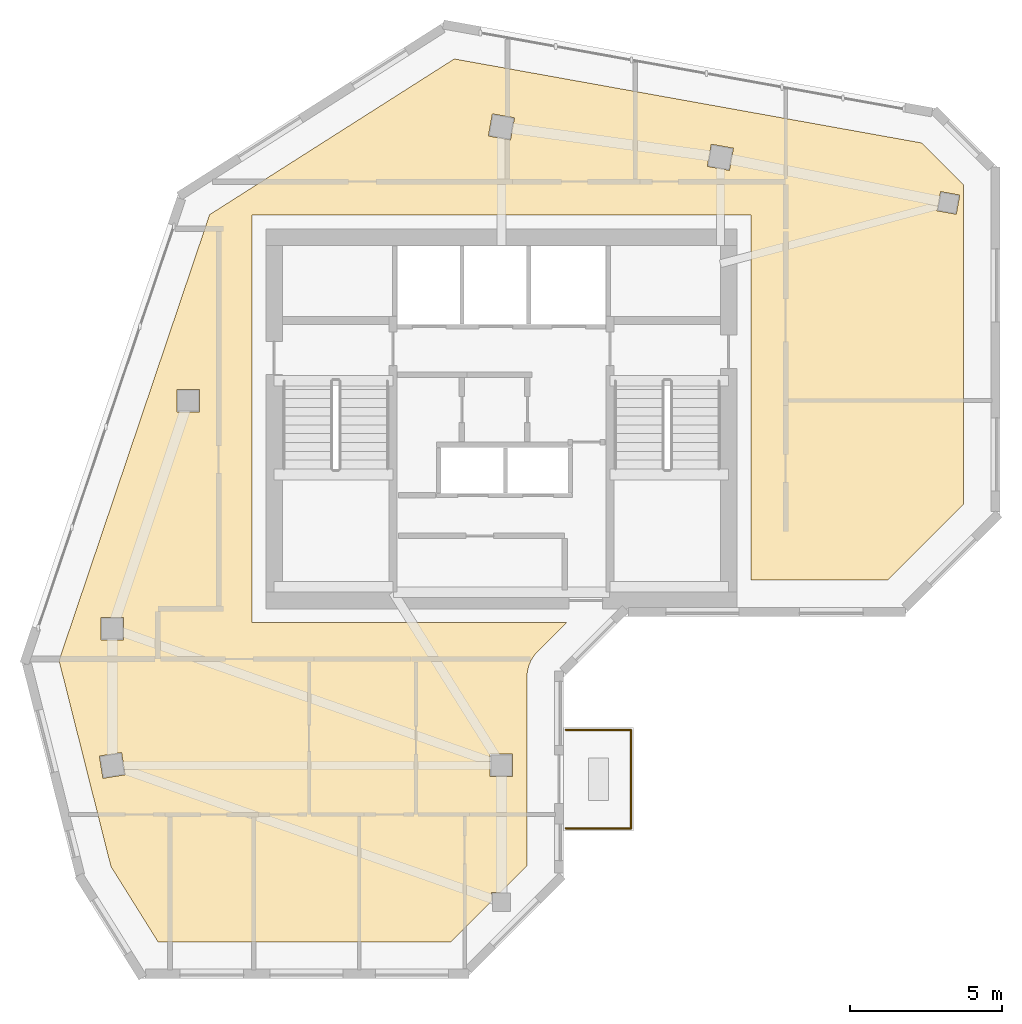
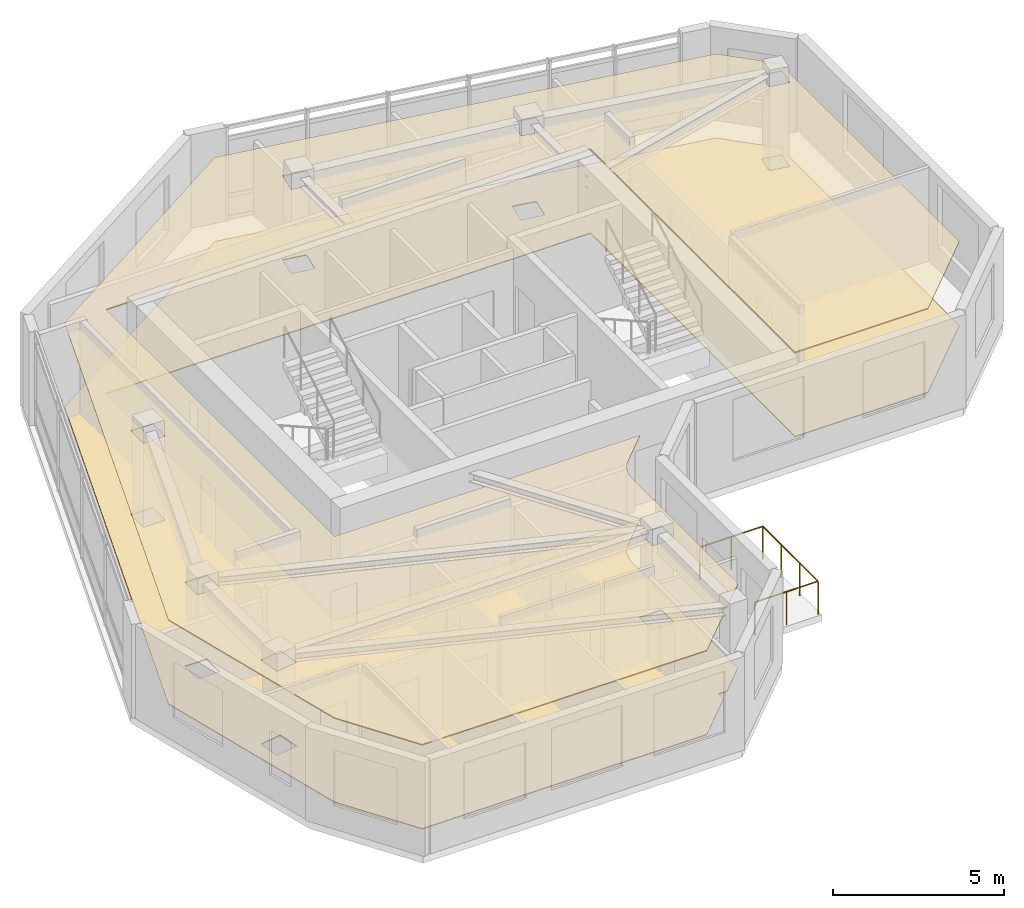
# One storey, part 6 of 7: 3 railings, 2 coverings.
"""IFC4 building model written with IfcOpenShell, lengths in metres."""

from ifc_helpers import new_model, si_unit, direction, frame, origin, origin_2d, place, context, subcontext, project, spatial, polyline, circle, outline, extrude, material, layer, layer_set, type_object, element, save


model = new_model("IFC4")

# Units and contexts
model_context = context("Model", 3, precision=1e-05, world=origin(), true_north=direction((0.0, 1.0)))
body_context = subcontext(model_context, "Body", "Model", "MODEL_VIEW")
ifc_project = project(units=[si_unit("LENGTHUNIT", "METRE"), si_unit("AREAUNIT", "SQUARE_METRE"), si_unit("VOLUMEUNIT", "CUBIC_METRE"), si_unit("PLANEANGLEUNIT", "RADIAN"), si_unit("MASSUNIT", "GRAM", prefix="KILO")], contexts=[model_context])

# Site, building, storey
site_placement = place(None, origin())
site = spatial("IfcSite", under=ifc_project, at=site_placement, CompositionType="ELEMENT")
building_placement = place(site_placement, origin())
building = spatial("IfcBuilding", under=site, at=building_placement, Name="Calvemar Wedge Station Tower", CompositionType="ELEMENT")
storey_placement = place(building_placement, frame((0.0, 0.0, 288.89990234375)))
storey = spatial("IfcBuildingStorey", under=building, at=storey_placement, Name="L74", CompositionType="ELEMENT", Elevation=288.89990234375)

# Coverings
ifc_material_1 = material(Name="Moisture-resistant gypsum ceiling")
ifc_layer_1 = layer(ifc_material_1, 0.0400390625)
ifc_layer_set_1 = layer_set([ifc_layer_1], Name="Moisture-resistant gypsum ceiling")
covering_type_1 = type_object("IfcCoveringType", Name="COV-CEIL-GYPSUM", PredefinedType="CEILING", material=ifc_layer_set_1)
covering_1_placement = place(storey_placement, frame((0.0, 0.0, 3.0)))
element("IfcCovering", 1, at=covering_1_placement, inside=storey, type_object=covering_type_1, Name="Storey L74 Acoustic Suspended Ceiling", PredefinedType="CEILING", context=body_context, shape_type="SweptSolid", body=[
    extrude(outline(polyline([(32.0, 46.60009765625), (32.0, 34.60009765625), (36.5029296875, 34.60009765625), (39.0, 37.09716796875), (39.0, 47.5908203125), (37.617431640625, 48.973388671875), (22.248779296875, 51.736083984375), (14.201416015625, 46.614990234375), (9.25, 31.95068359375), (10.95751953125, 25.176025390625), (12.505126953125, 22.699951171875), (22.142822265625, 22.699951171875), (23.47998046875, 24.037109375), (23.47998046875, 24.320068359375), (23.762939453125, 24.320068359375), (24.639892578125, 25.197021484375), (24.639892578125, 31.39990234375), (24.645751953125, 31.517578125), (24.6630859375, 31.634033203125), (24.691650390625, 31.748291015625), (24.731201171875, 31.859130859375), (24.78173828125, 31.9658203125), (24.84228515625, 32.066650390625), (24.912353515625, 32.161376953125), (24.991455078125, 32.24853515625), (25.94287109375, 33.199951171875), (15.60009765625, 33.199951171875), (15.60009765625, 46.60009765625), (32.0, 46.60009765625)]), holes=[polyline([(10.6298828125, 32.6298828125), (10.6298828125, 33.3701171875), (11.3701171875, 33.3701171875), (11.3701171875, 32.6298828125), (10.6298828125, 32.6298828125)]), polyline([(13.1298828125, 40.8701171875), (13.8701171875, 40.8701171875), (13.8701171875, 40.1298828125), (13.1298828125, 40.1298828125), (13.1298828125, 40.8701171875)]), polyline([(24.229736328125, 49.798583984375), (24.0986328125, 49.0703125), (23.370361328125, 49.201416015625), (23.50146484375, 49.9296875), (24.229736328125, 49.798583984375)]), polyline([(31.298583984375, 48.0703125), (30.5703125, 48.201416015625), (30.701416015625, 48.9296875), (31.4296875, 48.798583984375), (31.298583984375, 48.0703125)]), polyline([(38.12841796875, 46.74169921875), (38.24169921875, 47.37158203125), (38.87158203125, 47.25830078125), (38.75830078125, 46.62841796875), (38.12841796875, 46.74169921875)]), polyline([(11.306884765625, 28.923828125), (11.423828125, 28.193115234375), (10.693115234375, 28.076171875), (10.576171875, 28.806884765625), (11.306884765625, 28.923828125)]), polyline([(24.169921875, 28.8701171875), (24.169921875, 28.1298828125), (23.429931640625, 28.1298828125), (23.429931640625, 28.8701171875), (24.169921875, 28.8701171875)])]), origin(), (0.0, 0.0, 1.0), 0.0400390625),
])
ifc_material_2 = material(Name="Honed coastal granite stone tile", Category="masonry")
ifc_layer_2 = layer(ifc_material_2, 0.030029296875)
ifc_layer_set_2 = layer_set([ifc_layer_2], Name="Honed coastal granite stone tile")
covering_type_2 = type_object("IfcCoveringType", Name="COV-FLR-STONE", PredefinedType="FLOORING", material=ifc_layer_set_2)
covering_2_placement = place(storey_placement, origin())
element("IfcCovering", 2, at=covering_2_placement, inside=storey, type_object=covering_type_2, Name="Storey L74 Architectural Floor Finish", PredefinedType="FLOORING", context=body_context, shape_type="SweptSolid", body=[
    extrude(outline(polyline([(32.0, 46.60009765625), (32.0, 34.60009765625), (36.5029296875, 34.60009765625), (39.0, 37.09716796875), (39.0, 47.5908203125), (37.617431640625, 48.973388671875), (22.248779296875, 51.736083984375), (14.201416015625, 46.614990234375), (9.25, 31.95068359375), (10.95751953125, 25.176025390625), (12.505126953125, 22.699951171875), (22.142822265625, 22.699951171875), (23.47998046875, 24.037109375), (23.47998046875, 24.320068359375), (23.762939453125, 24.320068359375), (24.639892578125, 25.197021484375), (24.639892578125, 31.39990234375), (24.645751953125, 31.517578125), (24.6630859375, 31.634033203125), (24.691650390625, 31.748291015625), (24.731201171875, 31.859130859375), (24.78173828125, 31.9658203125), (24.84228515625, 32.066650390625), (24.912353515625, 32.161376953125), (24.991455078125, 32.24853515625), (25.94287109375, 33.199951171875), (15.60009765625, 33.199951171875), (15.60009765625, 46.60009765625), (32.0, 46.60009765625)]), holes=[polyline([(10.6298828125, 32.6298828125), (10.6298828125, 33.3701171875), (11.3701171875, 33.3701171875), (11.3701171875, 32.6298828125), (10.6298828125, 32.6298828125)]), polyline([(13.1298828125, 40.8701171875), (13.8701171875, 40.8701171875), (13.8701171875, 40.1298828125), (13.1298828125, 40.1298828125), (13.1298828125, 40.8701171875)]), polyline([(24.229736328125, 49.798583984375), (24.0986328125, 49.0703125), (23.370361328125, 49.201416015625), (23.50146484375, 49.9296875), (24.229736328125, 49.798583984375)]), polyline([(31.298583984375, 48.0703125), (30.5703125, 48.201416015625), (30.701416015625, 48.9296875), (31.4296875, 48.798583984375), (31.298583984375, 48.0703125)]), polyline([(38.12841796875, 46.74169921875), (38.24169921875, 47.37158203125), (38.87158203125, 47.25830078125), (38.75830078125, 46.62841796875), (38.12841796875, 46.74169921875)]), polyline([(11.306884765625, 28.923828125), (11.423828125, 28.193115234375), (10.693115234375, 28.076171875), (10.576171875, 28.806884765625), (11.306884765625, 28.923828125)]), polyline([(24.169921875, 28.8701171875), (24.169921875, 28.1298828125), (23.429931640625, 28.1298828125), (23.429931640625, 28.8701171875), (24.169921875, 28.8701171875)])]), origin(), (0.0, 0.0, 1.0), 0.030029296875),
])

# Railings
ifc_material_3 = material(Name="Stainless steel AISI 316L", Category="steel")
railing_type = type_object("IfcRailingType", Name="GRD-TERR-1200", PredefinedType="GUARDRAIL", material=ifc_material_3)
railing_1_placement = place(storey_placement, frame((25.919921875, 29.669921875, 0.0)))
element("IfcRailing", 3, at=railing_1_placement, inside=storey, type_object=railing_type, Name="Storey L74 Spiral Terrace Guard 2", PredefinedType="GUARDRAIL", context=body_context, shape_type="SweptSolid", body=[
    extrude(circle(Radius=0.02392578125, at=origin_2d()), frame((0.0, 0.0, 1.17578125), z_axis=(1.0, 0.0, 0.0), x_axis=(0.0, 1.0, 0.0)), (0.0, 0.0, 1.0), 2.14013671875),
    extrude(circle(Radius=0.02099609375, at=origin_2d()), origin(), (0.0, 0.0, 1.0), 1.15185546875),
    extrude(circle(Radius=0.02099609375, at=origin_2d()), frame((1.070068359375, 0.0, 0.0)), (0.0, 0.0, 1.0), 1.15185546875),
    extrude(circle(Radius=0.02099609375, at=origin_2d()), frame((2.14013671875, 0.0, 0.0)), (0.0, 0.0, 1.0), 1.15185546875),
])
railing_2_placement = place(storey_placement, frame((28.06005859375, 29.669921875, 0.0)))
element("IfcRailing", 4, at=railing_2_placement, inside=storey, type_object=railing_type, Name="Storey L74 Spiral Terrace Guard 3", PredefinedType="GUARDRAIL", context=body_context, shape_type="SweptSolid", body=[
    extrude(circle(Radius=0.02392578125, at=origin_2d()), frame((0.0, 0.0, 1.17578125), z_axis=(0.0, -1.0, 0.0), x_axis=(1.0, 0.0, 0.0)), (0.0, 0.0, 1.0), 3.239990234375),
    extrude(circle(Radius=0.02099609375, at=origin_2d()), origin(), (0.0, 0.0, 1.0), 1.15185546875),
    extrude(circle(Radius=0.02099609375, at=origin_2d()), frame((0.0, -1.080078125, 0.0)), (0.0, 0.0, 1.0), 1.15185546875),
    extrude(circle(Radius=0.02099609375, at=origin_2d()), frame((0.0, -2.159912109375, 0.0)), (0.0, 0.0, 1.0), 1.15185546875),
    extrude(circle(Radius=0.02099609375, at=origin_2d()), frame((0.0, -3.239990234375, 0.0)), (0.0, 0.0, 1.0), 1.15185546875),
])
railing_3_placement = place(storey_placement, frame((28.06005859375, 26.429931640625, 0.0)))
element("IfcRailing", 5, at=railing_3_placement, inside=storey, type_object=railing_type, Name="Storey L74 Spiral Terrace Guard 4", PredefinedType="GUARDRAIL", context=body_context, shape_type="SweptSolid", body=[
    extrude(circle(Radius=0.02392578125, at=origin_2d()), frame((0.0, 0.0, 1.17578125), z_axis=(-1.0, 0.0, 0.0), x_axis=(0.0, -1.0, 0.0)), (0.0, 0.0, 1.0), 2.14013671875),
    extrude(circle(Radius=0.02099609375, at=origin_2d()), origin(), (0.0, 0.0, 1.0), 1.15185546875),
    extrude(circle(Radius=0.02099609375, at=origin_2d()), frame((-1.070068359375, 0.0, 0.0)), (0.0, 0.0, 1.0), 1.15185546875),
    extrude(circle(Radius=0.02099609375, at=origin_2d()), frame((-2.14013671875, 0.0, 0.0)), (0.0, 0.0, 1.0), 1.15185546875),
])

save(model, "model.ifc")
